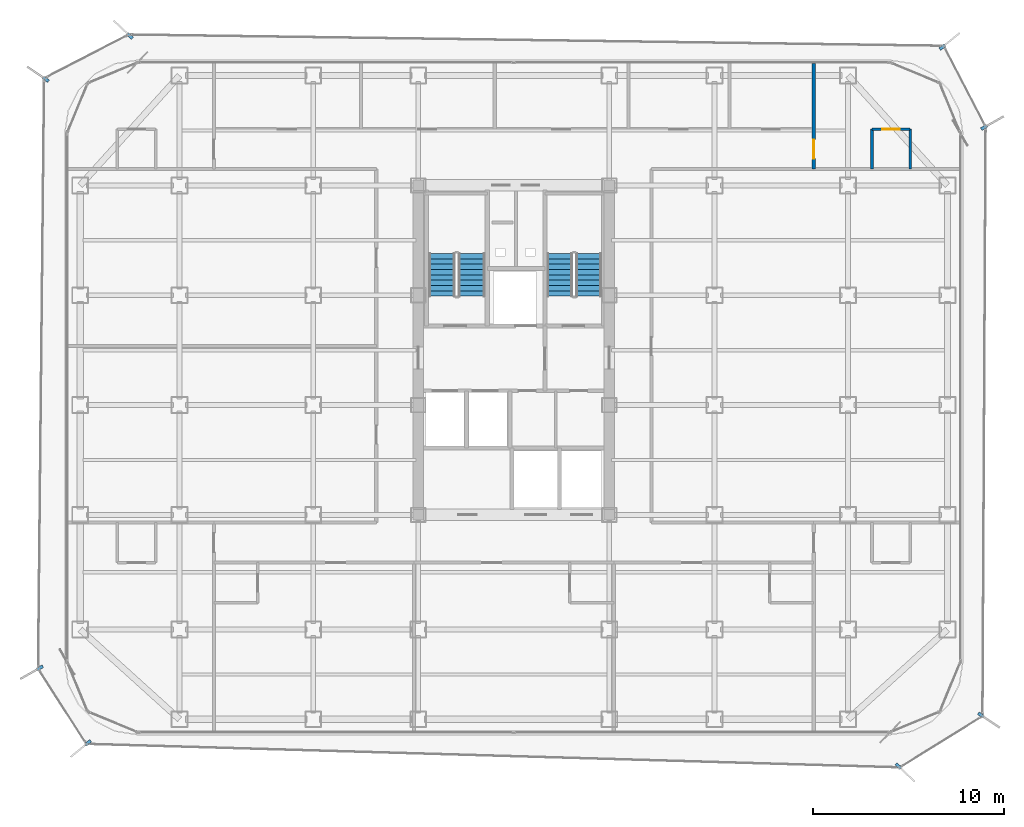
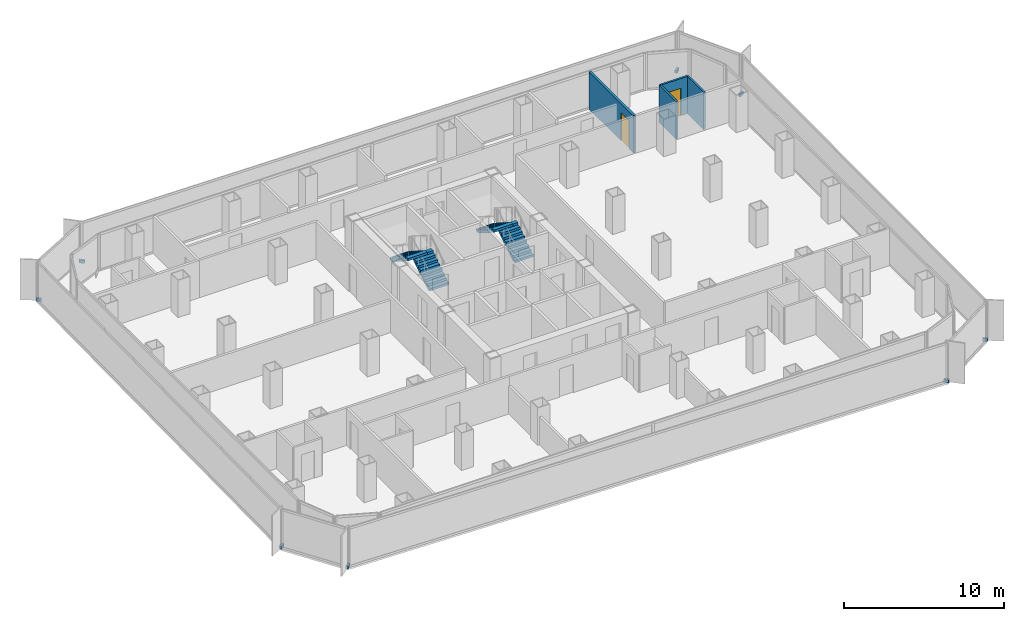
# One storey, part 18 of 21: 8 discrete accessories, 4 stair flights, 4 walls, 2 doors, 2 openings, 2 elements without a shape of their own.
"""IFC4 building model written with IfcOpenShell, lengths in metres."""

from ifc_helpers import new_model, si_unit, direction, frame, frame_2d, origin, origin_2d, place, context, subcontext, project, spatial, polyline, rectangle, outline, extrude, source, transform, mapped, material, layer, layer_set, type_object, element, fill, aggregate, save


model = new_model("IFC4")

# Units and contexts
model_context = context("Model", 3, precision=1e-05, world=origin(), true_north=direction((0.0, 1.0)))
body_context = subcontext(model_context, "Body", "Model", "MODEL_VIEW")
ifc_project = project(units=[si_unit("LENGTHUNIT", "METRE"), si_unit("AREAUNIT", "SQUARE_METRE"), si_unit("VOLUMEUNIT", "CUBIC_METRE"), si_unit("PLANEANGLEUNIT", "RADIAN"), si_unit("MASSUNIT", "GRAM", prefix="KILO")], contexts=[model_context])

# Site, building, storey
site_placement = place(None, origin())
site = spatial("IfcSite", under=ifc_project, at=site_placement, CompositionType="ELEMENT")
building_placement = place(site_placement, origin())
building = spatial("IfcBuilding", under=site, at=building_placement, Name="Kolveth Station Tower", CompositionType="ELEMENT")
storey_placement = place(building_placement, frame((0.0, 0.0, 148.39990234375)))
storey = spatial("IfcBuildingStorey", under=building, at=storey_placement, Name="L41", CompositionType="ELEMENT", Elevation=148.39990234375)

# Walls
ifc_material_1 = material(Name="Moisture-resistant gypsum partition")
ifc_layer_1 = layer(ifc_material_1, 0.135009765625)
ifc_layer_set_1 = layer_set([ifc_layer_1], Name="Moisture-resistant gypsum partition")
wall_type_1 = type_object("IfcWallType", Name="Wall_IW-135", PredefinedType="PARTITIONING", material=ifc_layer_set_1)
for number, where, z_axis, x_axis, name in (
    (1, (42.25, 29.60009765625, 0.0), (0.0, 0.0, 1.0), (0.0, 1.0, 0.0), "L41 Partition Wall WL-L41-ES2-BV1"),
    (2, (44.25, 29.60009765625, 0.0), (0.0, 0.0, 1.0), (0.0, 1.0, 0.0), "L41 Partition Wall WL-L41-ES2-BV2"),
):
    element("IfcWall", number, at=place(storey_placement, frame(where, z_axis=z_axis, x_axis=x_axis)), inside=storey, type_object=wall_type_1, Name=name, PredefinedType="PARTITIONING", context=body_context, shape_type="SweptSolid", body=[
        extrude(rectangle(XDim=2.099853515625, YDim=0.135009765625, at=frame_2d((1.0498046875, 0.0))), origin(), (0.0, 0.0, 1.0), 2.840087890625),
    ])

# Wall, opening, door
wall_1_placement = place(storey_placement, frame((42.25, 31.699951171875, 0.0), z_axis=(0.0, 0.0, 1.0), x_axis=(1.0, 0.0, 0.0)))
wall_1 = element("IfcWall", 3, at=wall_1_placement, inside=storey, type_object=wall_type_1, Name="L41 Partition Wall WL-L41-ES2-BH", PredefinedType="PARTITIONING", context=body_context, shape_type="SweptSolid", body=[
    extrude(rectangle(XDim=2.0, YDim=0.135009765625, at=frame_2d((1.0, 0.0))), origin(), (0.0, 0.0, 1.0), 2.840087890625),
])
opening_1_placement = place(wall_1_placement, frame((0.5400390625, 0.0, 0.0)))
opening_1 = element("IfcOpeningElement", 4, at=opening_1_placement, cuts=wall_1, Name="Opening ID2", PredefinedType="OPENING", context=body_context, shape_type="SweptSolid", body=[
    extrude(rectangle(XDim=0.919921875, YDim=2.10009765625, at=frame_2d((0.4599609375, 1.050048828125))), frame((0.0, 0.077392578125, 0.0), z_axis=(0.0, -1.0, 0.0), x_axis=(1.0, 0.0, 0.0)), (0.0, 0.0, 1.0), 0.155029296875),
])
ifc_material_2 = material(Name="Moisture-resistant hardwood leaf", Category="wood")
door_type_1 = type_object("IfcDoorType", Name="Door_ID2", OperationType="NOTDEFINED", PredefinedType="DOOR", material=ifc_material_2)
door_1_placement = place(opening_1_placement, frame((0.919921875, 0.0, 0.0), z_axis=(0.0, 0.0, 1.0), x_axis=(-1.0, 0.0, 0.0)))
door_1 = element("IfcDoor", 5, at=door_1_placement, inside=storey, type_object=door_type_1, Name="L41 Hotel Guest Room ES2 En-Suite Door", OperationType="SINGLE_SWING_RIGHT", OverallHeight=2.10009765625, OverallWidth=0.919921875, PredefinedType="DOOR", context=body_context, shape_type="SweptSolid", body=[
    extrude(rectangle(XDim=0.919921875, YDim=2.10009765625, at=frame_2d((0.4599609375, 1.050048828125))), frame((0.0, 0.02490234375, 0.0), z_axis=(0.0, -1.0, 0.0), x_axis=(1.0, 0.0, 0.0)), (0.0, 0.0, 1.0), 0.050048828125),
])
fill(opening_1, door_1)

ifc_material_3 = material(Name="Acoustic double-stud gypsum partition")
ifc_layer_2 = layer(ifc_material_3, 0.1650390625)
ifc_layer_set_2 = layer_set([ifc_layer_2], Name="Acoustic double-stud gypsum partition")
wall_type_2 = type_object("IfcWallType", Name="Wall_IW-165", PredefinedType="PARTITIONING", material=ifc_layer_set_2)
wall_2_placement = place(storey_placement, frame((39.199951171875, 29.60009765625, 0.0), z_axis=(0.0, 0.0, 1.0), x_axis=(0.0, 1.0, 0.0)))
wall_2 = element("IfcWall", 6, at=wall_2_placement, inside=storey, type_object=wall_type_2, Name="L41 Partition Wall WL-L41-END-EN", PredefinedType="PARTITIONING", context=body_context, shape_type="SweptSolid", body=[
    extrude(rectangle(XDim=5.539794921875, YDim=0.1650390625, at=frame_2d((2.77001953125, 0.0))), origin(), (0.0, 0.0, 1.0), 2.840087890625),
])
opening_2_placement = place(wall_2_placement, frame((0.550048828125, 0.0, 0.0)))
opening_2 = element("IfcOpeningElement", 7, at=opening_2_placement, cuts=wall_2, Name="Opening FD3", PredefinedType="OPENING", context=body_context, shape_type="SweptSolid", body=[
    extrude(rectangle(XDim=1.0, YDim=2.14990234375, at=frame_2d((0.5, 1.074951171875))), frame((0.0, 0.092529296875, 0.0), z_axis=(0.0, -1.0, 0.0), x_axis=(1.0, 0.0, 0.0)), (0.0, 0.0, 1.0), 0.18505859375),
])
ifc_material_4 = material(Name="Fire-rated hardwood leaf and aluminium frame", Category="wood")
door_type_2 = type_object("IfcDoorType", Name="Door_FD3", OperationType="NOTDEFINED", PredefinedType="DOOR", material=ifc_material_4)
door_2_placement = place(opening_2_placement, frame((1.0, 0.0, 0.0), z_axis=(0.0, 0.0, 1.0), x_axis=(-1.0, 0.0, 0.0)))
door_2 = element("IfcDoor", 8, at=door_2_placement, inside=storey, type_object=door_type_2, Name="L41 Hotel Guest Room ES2 Entrance Door", OperationType="SINGLE_SWING_LEFT", OverallHeight=2.14990234375, OverallWidth=1.0, PredefinedType="DOOR", context=body_context, shape_type="SweptSolid", body=[
    extrude(rectangle(XDim=1.0, YDim=2.14990234375, at=frame_2d((0.5, 1.074951171875))), frame((0.0, 0.02490234375, 0.0), z_axis=(0.0, -1.0, 0.0), x_axis=(1.0, 0.0, 0.0)), (0.0, 0.0, 1.0), 0.050048828125),
])
fill(opening_2, door_2)

# Stair, stair flights
ifc_material_5 = material(Name="Concrete C40/50", Category="concrete")
stair_type_1 = type_object("IfcStairType", Name="Stair_ST1", PredefinedType="HALF_TURN_STAIR", material=ifc_material_5)
stair_1_placement = place(storey_placement, origin())
stair_1 = element("IfcStair", 9, at=stair_1_placement, inside=storey, type_object=stair_type_1, Name="L41 Tower Exit Stair ST1", PredefinedType="HALF_TURN_STAIR")
ifc_layer_3 = layer(ifc_material_5, 0.179931640625)
ifc_layer_set_3 = layer_set([ifc_layer_3], Name="Concrete C40/50")
stair_flight_type_1 = type_object("IfcStairFlightType", Name="Flight_ST1", PredefinedType="STRAIGHT", material=ifc_layer_set_3)
stair_flight_1_placement = place(storey_placement, frame((21.300048828125, 22.949951171875, 0.0), z_axis=(0.0, 0.0, 1.0), x_axis=(0.0, 1.0, 0.0)))
stair_flight_1 = element("IfcStairFlight", 10, at=stair_flight_1_placement, type_object=stair_flight_type_1, Name="ST1 flight 1", NumberOfRisers=9, NumberOfTreads=8, PredefinedType="STRAIGHT", RiserHeight=0.177777778, TreadLength=0.28, context=body_context, shape_type="SweptSolid", body=[
    extrude(outline(polyline([(0.0, 0.0), (0.0, 0.177734375), (0.280029296875, 0.177734375), (0.280029296875, 0.35546875), (0.56005859375, 0.35546875), (0.56005859375, 0.533447265625), (0.840087890625, 0.533447265625), (0.840087890625, 0.711181640625), (1.1201171875, 0.711181640625), (1.1201171875, 0.888916015625), (1.39990234375, 0.888916015625), (1.39990234375, 1.066650390625), (1.679931640625, 1.066650390625), (1.679931640625, 1.244384765625), (1.9599609375, 1.244384765625), (1.9599609375, 1.422119140625), (2.239990234375, 1.422119140625), (2.239990234375, 1.60009765625), (2.239990234375, 1.24462890625), (0.27978515625, 0.0), (0.0, 0.0)])), frame((0.0, 0.699951171875, 0.0), z_axis=(0.0, -1.0, 0.0), x_axis=(1.0, 0.0, 0.0)), (0.0, 0.0, 1.0), 1.39990234375),
])
stair_flight_2_placement = place(storey_placement, frame((19.739990234375, 25.18994140625, 1.60009765625), z_axis=(0.0, 0.0, 1.0), x_axis=(0.0, -1.0, 0.0)))
stair_flight_2 = element("IfcStairFlight", 11, at=stair_flight_2_placement, type_object=stair_flight_type_1, Name="ST1 flight 2", NumberOfRisers=9, NumberOfTreads=8, PredefinedType="STRAIGHT", RiserHeight=0.177777778, TreadLength=0.28, context=body_context, shape_type="SweptSolid", body=[
    extrude(outline(polyline([(0.0, 0.0), (0.0, 0.177734375), (0.280029296875, 0.177734375), (0.280029296875, 0.35546875), (0.56005859375, 0.35546875), (0.56005859375, 0.533447265625), (0.840087890625, 0.533447265625), (0.840087890625, 0.711181640625), (1.1201171875, 0.711181640625), (1.1201171875, 0.888916015625), (1.39990234375, 0.888916015625), (1.39990234375, 1.066650390625), (1.679931640625, 1.066650390625), (1.679931640625, 1.244384765625), (1.9599609375, 1.244384765625), (1.9599609375, 1.422119140625), (2.239990234375, 1.422119140625), (2.239990234375, 1.60009765625), (2.239990234375, 1.24462890625), (0.27978515625, 0.0), (0.0, 0.0)])), frame((0.0, 0.699951171875, 0.0), z_axis=(0.0, -1.0, 0.0), x_axis=(1.0, 0.0, 0.0)), (0.0, 0.0, 1.0), 1.39990234375),
])
aggregate(stair_1, [stair_flight_1, stair_flight_2])

stair_type_2 = type_object("IfcStairType", Name="Stair_ST2", PredefinedType="HALF_TURN_STAIR", material=ifc_material_5)
stair_2_placement = place(storey_placement, origin())
stair_2 = element("IfcStair", 12, at=stair_2_placement, inside=storey, type_object=stair_type_2, Name="L41 Tower Exit Stair ST2", PredefinedType="HALF_TURN_STAIR")
ifc_layer_4 = layer(ifc_material_5, 0.179931640625)
ifc_layer_set_4 = layer_set([ifc_layer_4], Name="Concrete C40/50")
stair_flight_type_2 = type_object("IfcStairFlightType", Name="Flight_ST2", PredefinedType="STRAIGHT", material=ifc_layer_set_4)
stair_flight_3_placement = place(storey_placement, frame((27.425048828125, 22.949951171875, 0.0), z_axis=(0.0, 0.0, 1.0), x_axis=(0.0, 1.0, 0.0)))
stair_flight_3 = element("IfcStairFlight", 13, at=stair_flight_3_placement, type_object=stair_flight_type_2, Name="ST2 flight 1", NumberOfRisers=9, NumberOfTreads=8, PredefinedType="STRAIGHT", RiserHeight=0.177777778, TreadLength=0.28, context=body_context, shape_type="SweptSolid", body=[
    extrude(outline(polyline([(0.0, 0.0), (0.0, 0.177734375), (0.280029296875, 0.177734375), (0.280029296875, 0.35546875), (0.56005859375, 0.35546875), (0.56005859375, 0.533447265625), (0.840087890625, 0.533447265625), (0.840087890625, 0.711181640625), (1.1201171875, 0.711181640625), (1.1201171875, 0.888916015625), (1.39990234375, 0.888916015625), (1.39990234375, 1.066650390625), (1.679931640625, 1.066650390625), (1.679931640625, 1.244384765625), (1.9599609375, 1.244384765625), (1.9599609375, 1.422119140625), (2.239990234375, 1.422119140625), (2.239990234375, 1.60009765625), (2.239990234375, 1.24462890625), (0.27978515625, 0.0), (0.0, 0.0)])), frame((0.0, 0.675048828125, 0.0), z_axis=(0.0, -1.0, 0.0), x_axis=(1.0, 0.0, 0.0)), (0.0, 0.0, 1.0), 1.35009765625),
])
stair_flight_4_placement = place(storey_placement, frame((25.9150390625, 25.18994140625, 1.60009765625), z_axis=(0.0, 0.0, 1.0), x_axis=(0.0, -1.0, 0.0)))
stair_flight_4 = element("IfcStairFlight", 14, at=stair_flight_4_placement, type_object=stair_flight_type_2, Name="ST2 flight 2", NumberOfRisers=9, NumberOfTreads=8, PredefinedType="STRAIGHT", RiserHeight=0.177777778, TreadLength=0.28, context=body_context, shape_type="SweptSolid", body=[
    extrude(outline(polyline([(0.0, 0.0), (0.0, 0.177734375), (0.280029296875, 0.177734375), (0.280029296875, 0.35546875), (0.56005859375, 0.35546875), (0.56005859375, 0.533447265625), (0.840087890625, 0.533447265625), (0.840087890625, 0.711181640625), (1.1201171875, 0.711181640625), (1.1201171875, 0.888916015625), (1.39990234375, 0.888916015625), (1.39990234375, 1.066650390625), (1.679931640625, 1.066650390625), (1.679931640625, 1.244384765625), (1.9599609375, 1.244384765625), (1.9599609375, 1.422119140625), (2.239990234375, 1.422119140625), (2.239990234375, 1.60009765625), (2.239990234375, 1.24462890625), (0.27978515625, 0.0), (0.0, 0.0)])), frame((0.0, 0.675048828125, 0.0), z_axis=(0.0, -1.0, 0.0), x_axis=(1.0, 0.0, 0.0)), (0.0, 0.0, 1.0), 1.35009765625),
])
aggregate(stair_2, [stair_flight_3, stair_flight_4])

# Discrete accessories
ifc_material_6 = material(Name="Steel S355", Category="steel")
discrete_accessory_type = type_object("IfcDiscreteAccessoryType", Name="Bracket_BK1", PredefinedType="BRACKET", material=ifc_material_6)
shared_shape = source(origin(), body_context, "Body", "SweptSolid", [
    extrude(rectangle(XDim=0.35009765625, YDim=0.159912109375, at=origin_2d()), origin(), (0.0, 0.0, 1.0), 0.219970703125),
])
for number, where, z_axis, x_axis, name in (
    (15, (43.637939453125, -1.653076171875, -0.06005859375), (0.0, 0.0, 1.0), (0.721881018878, -0.692017192405, 0.0), "L41 Double-Skin Radial Tie Bracket 1"),
    (16, (47.9609375, 1.02197265625, -0.06005859375), (0.0, 0.0, 1.0), (0.826982459622, -0.562227722082, 0.0), "L41 Double-Skin Radial Tie Bracket 2"),
    (17, (48.12109375, 31.781982421875, -0.06005859375), (0.0, 0.0, 1.0), (0.867331431408, 0.497731039913, 0.0), "L41 Double-Skin Radial Tie Bracket 3"),
    (18, (45.93505859375, 35.989013671875, -0.06005859375), (0.0, 0.0, 1.0), (0.774282204376, 0.632840475939, 0.0), "L41 Double-Skin Radial Tie Bracket 4"),
    (19, (3.408935546875, 36.571044921875, -0.06005859375), (0.0, 0.0, 1.0), (-0.72801210908, 0.685564270534, 0.0), "L41 Double-Skin Radial Tie Bracket 5"),
    (20, (-1.0, 34.301025390625, -0.06005859375), (0.0, 0.0, 1.0), (-0.827080574275, 0.562083377852, 0.0), "L41 Double-Skin Radial Tie Bracket 6"),
    (21, (-1.30810546875, 3.493896484375, -0.06005859375), (0.0, 0.0, 1.0), (-0.868545027358, -0.495610265685, 0.0), "L41 Double-Skin Radial Tie Bracket 7"),
    (22, (1.212890625, -0.430908203125, -0.06005859375), (0.0, 0.0, 1.0), (-0.776596479968, -0.629998339126, 0.0), "L41 Double-Skin Radial Tie Bracket 8"),
):
    element("IfcDiscreteAccessory", number, at=place(storey_placement, frame(where, z_axis=z_axis, x_axis=x_axis)), inside=storey, type_object=discrete_accessory_type, Name=name, PredefinedType="BRACKET", context=body_context, shape_type="MappedRepresentation", body=[
        mapped(shared_shape, transform((0.0, 0.0, 0.0), x_axis=(1.0, 0.0, 0.0), y_axis=(0.0, 1.0, 0.0), z_axis=(0.0, 0.0, 1.0), scale=1.0)),
    ])

save(model, "model.ifc")
